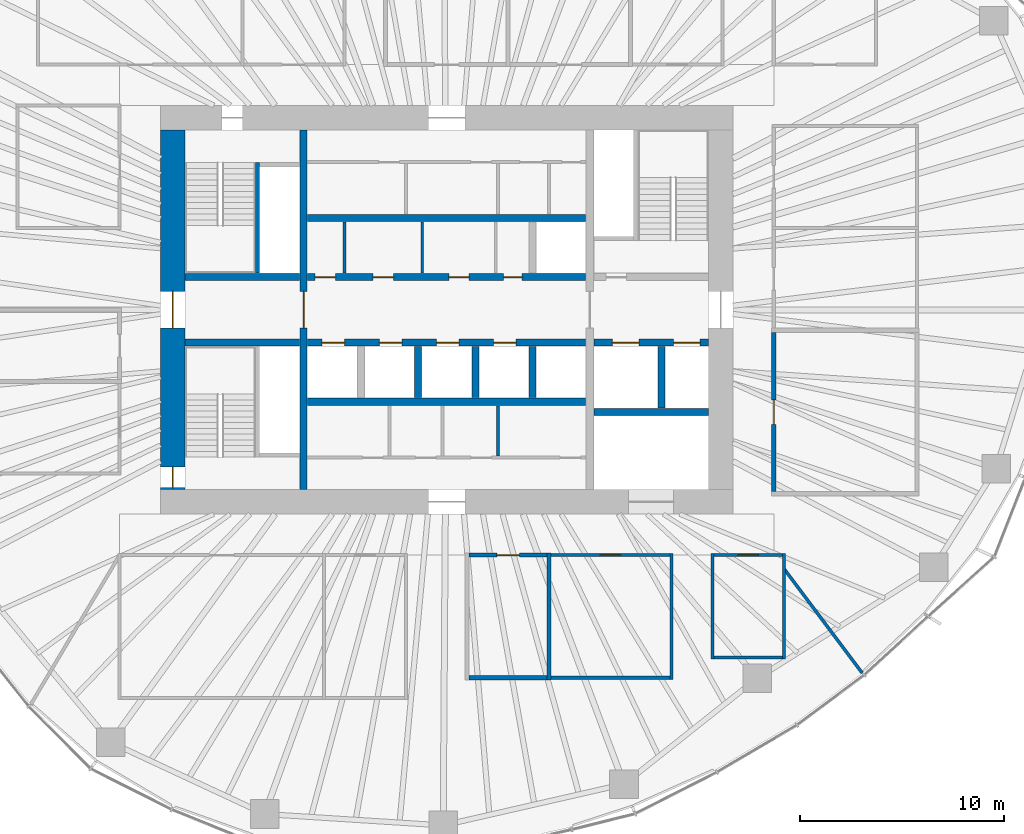
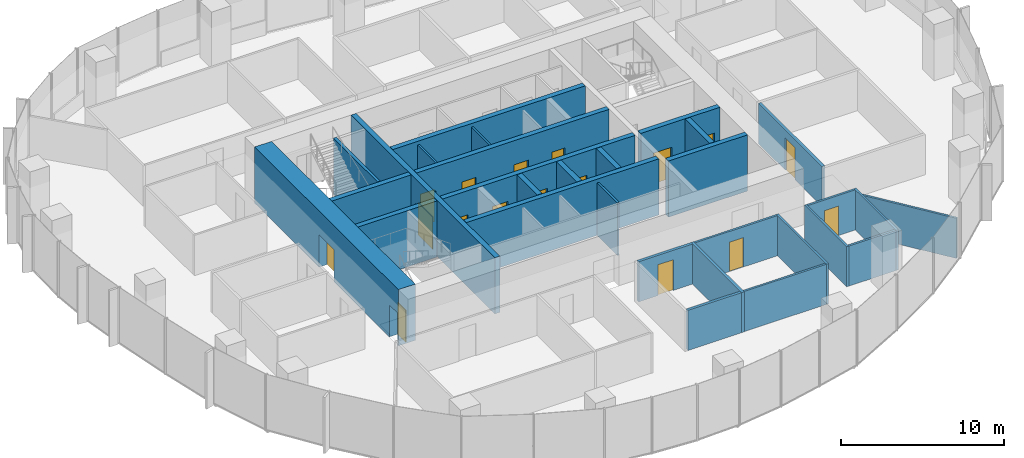
# One storey, part 9 of 18: 30 walls, 17 doors, 17 openings.
"""IFC4 building model written with IfcOpenShell, lengths in metres."""

from ifc_helpers import new_model, si_unit, direction, frame, frame_2d, origin, place, context, subcontext, project, spatial, rectangle, extrude, material, layer, layer_set, type_object, element, fill, save


model = new_model("IFC4")

# Units and contexts
model_context = context("Model", 3, precision=1e-05, world=origin(), true_north=direction((0.0, 1.0)))
body_context = subcontext(model_context, "Body", "Model", "MODEL_VIEW")
ifc_project = project(units=[si_unit("LENGTHUNIT", "METRE"), si_unit("AREAUNIT", "SQUARE_METRE"), si_unit("VOLUMEUNIT", "CUBIC_METRE"), si_unit("PLANEANGLEUNIT", "RADIAN"), si_unit("MASSUNIT", "GRAM", prefix="KILO")], contexts=[model_context])

# Site, building, storey
site_placement = place(None, origin())
site = spatial("IfcSite", under=ifc_project, at=site_placement, CompositionType="ELEMENT")
building_placement = place(site_placement, origin())
building = spatial("IfcBuilding", under=site, at=building_placement, Name="Ghaith Harvest Tower", CompositionType="ELEMENT")
storey_placement = place(building_placement, frame((0.0, 0.0, 163.800048828125)))
storey = spatial("IfcBuildingStorey", under=building, at=storey_placement, Name="L35", CompositionType="ELEMENT", Elevation=163.800048828125)

# Wall
ifc_material_1 = material(Name="Twin-stud gypsum board, acoustic", Category="gypsum")
ifc_layer_1 = layer(ifc_material_1, 0.199951171875)
ifc_layer_set_1 = layer_set([ifc_layer_1], Name="ACOUSTIC PARTITION 200")
wall_type_1 = type_object("IfcWallType", Name="ACOUSTIC PARTITION 200", PredefinedType="PARTITIONING", material=ifc_layer_set_1)
wall_1_placement = place(storey_placement, frame((5.0, -11.89990234375, 0.0), z_axis=(0.0, 0.0, 1.0), x_axis=(0.0, -1.0, 0.0)))
element("IfcWall", 1, at=wall_1_placement, inside=storey, type_object=wall_type_1, Name="Partition L35 row S2 cross wall 2", PredefinedType="PARTITIONING", context=body_context, shape_type="SweptSolid", body=[
    extrude(rectangle(XDim=6.2001953125, YDim=0.199951171875, at=frame_2d((3.10009765625, 0.0))), origin(), (0.0, 0.0, 1.0), 3.0),
])

# Wall, opening, door
wall_2_placement = place(storey_placement, frame((1.10009765625, -12.0, 0.0), z_axis=(0.0, 0.0, 1.0), x_axis=(1.0, 0.0, 0.0)))
wall_2 = element("IfcWall", 2, at=wall_2_placement, inside=storey, type_object=wall_type_1, Name="Partition L35-03", PredefinedType="PARTITIONING", context=body_context, shape_type="SweptSolid", body=[
    extrude(rectangle(XDim=3.7998046875, YDim=0.199951171875, at=frame_2d((1.89990234375, 0.0))), origin(), (0.0, 0.0, 1.0), 3.0),
])
opening_1_placement = place(wall_2_placement, frame((1.35009765625, 0.0, 0.0)))
opening_1 = element("IfcOpeningElement", 3, at=opening_1_placement, cuts=wall_2, Name="Opening 35-031", PredefinedType="OPENING", context=body_context, shape_type="SweptSolid", body=[
    extrude(rectangle(XDim=1.10009765625, YDim=2.300048828125, at=frame_2d((0.550048828125, 1.14990234375))), frame((0.0, 0.10986328125, 0.0), z_axis=(0.0, -1.0, 0.0), x_axis=(1.0, 0.0, 0.0)), (0.0, 0.0, 1.0), 0.219970703125),
])
ifc_material_2 = material(Name="Timber-framed glazed door", Category="wood")
door_type_1 = type_object("IfcDoorType", Name="D12 GLAZED OFFICE 1100x2300", OperationType="SINGLE_SWING_LEFT", PredefinedType="DOOR", material=ifc_material_2)
door_1_placement = place(opening_1_placement, origin())
door_1 = element("IfcDoor", 4, at=door_1_placement, inside=storey, type_object=door_type_1, Name="Focus room door", OperationType="SINGLE_SWING_LEFT", OverallHeight=2.300048828125, OverallWidth=1.10009765625, PredefinedType="DOOR", context=body_context, shape_type="SweptSolid", body=[
    extrude(rectangle(XDim=1.10009765625, YDim=2.300048828125, at=frame_2d((0.550048828125, 1.14990234375))), frame((0.0, 0.02490234375, 0.0), z_axis=(0.0, -1.0, 0.0), x_axis=(1.0, 0.0, 0.0)), (0.0, 0.0, 1.0), 0.050048828125),
])
fill(opening_1, door_1)

# Wall
wall_3_placement = place(storey_placement, frame((1.10009765625, -18.0, 0.0), z_axis=(0.0, 0.0, 1.0), x_axis=(1.0, 0.0, 0.0)))
element("IfcWall", 5, at=wall_3_placement, inside=storey, type_object=wall_type_1, Name="Partition L35-03", PredefinedType="PARTITIONING", context=body_context, shape_type="SweptSolid", body=[
    extrude(rectangle(XDim=3.7998046875, YDim=0.199951171875, at=frame_2d((1.89990234375, 0.0))), origin(), (0.0, 0.0, 1.0), 3.0),
])

# Wall, opening, door
wall_4_placement = place(storey_placement, frame((16.0, -8.89990234375, 0.0), z_axis=(0.0, 0.0, 1.0), x_axis=(0.0, 1.0, 0.0)))
wall_4 = element("IfcWall", 6, at=wall_4_placement, inside=storey, type_object=wall_type_1, Name="Partition L35-10", PredefinedType="PARTITIONING", context=body_context, shape_type="SweptSolid", body=[
    extrude(rectangle(XDim=7.7998046875, YDim=0.199951171875, at=frame_2d((3.89990234375, 0.0))), origin(), (0.0, 0.0, 1.0), 3.0),
])
opening_2_placement = place(wall_4_placement, frame((3.300048828125, 0.0, 0.0)))
opening_2 = element("IfcOpeningElement", 7, at=opening_2_placement, cuts=wall_4, Name="Opening 35-038", PredefinedType="OPENING", context=body_context, shape_type="SweptSolid", body=[
    extrude(rectangle(XDim=1.199951171875, YDim=2.39990234375, at=frame_2d((0.60009765625, 1.199951171875))), frame((0.0, 0.10986328125, 0.0), z_axis=(0.0, -1.0, 0.0), x_axis=(1.0, 0.0, 0.0)), (0.0, 0.0, 1.0), 0.219970703125),
])
ifc_material_3 = material(Name="Timber door", Category="wood")
door_type_2 = type_object("IfcDoorType", Name="D11 GLAZED 1200x2400", OperationType="SINGLE_SWING_LEFT", PredefinedType="DOOR", material=ifc_material_3)
door_2_placement = place(opening_2_placement, origin())
door_2 = element("IfcDoor", 8, at=door_2_placement, inside=storey, type_object=door_type_2, Name="Focus group room door", OperationType="SINGLE_SWING_LEFT", OverallHeight=2.39990234375, OverallWidth=1.199951171875, PredefinedType="DOOR", context=body_context, shape_type="SweptSolid", body=[
    extrude(rectangle(XDim=1.199951171875, YDim=2.39990234375, at=frame_2d((0.60009765625, 1.199951171875))), frame((0.0, 0.02490234375, 0.0), z_axis=(0.0, -1.0, 0.0), x_axis=(1.0, 0.0, 0.0)), (0.0, 0.0, 1.0), 0.050048828125),
])
fill(opening_2, door_2)

# Walls
ifc_material_4 = material(Name="Concrete blockwork, fair-faced", Category="masonry")
ifc_layer_2 = layer(ifc_material_4, 0.139892578125)
ifc_layer_set_2 = layer_set([ifc_layer_2], Name="CORE PARTITION 140")
wall_type_2 = type_object("IfcWallType", Name="CORE PARTITION 140", PredefinedType="PARTITIONING", material=ifc_layer_set_2)
wall_5_placement = place(storey_placement, frame((2.5, -4.699951171875, 0.0), z_axis=(0.0, 0.0, 1.0), x_axis=(0.0, -1.0, 0.0)))
element("IfcWall", 9, at=wall_5_placement, inside=storey, type_object=wall_type_2, Name="Core partition L35", PredefinedType="PARTITIONING", context=body_context, shape_type="SweptSolid", body=[
    extrude(rectangle(XDim=2.4599609375, YDim=0.139892578125, at=frame_2d((1.22998046875, 0.0))), origin(), (0.0, 0.0, 1.0), 3.949951171875),
])
for number, where, z_axis, x_axis, name in (
    (10, (-5.0, 1.800048828125, 0.0), (0.0, 0.0, 1.0), (0.0, 1.0, 0.0), "Core partition L35"),
    (11, (-1.199951171875, 1.800048828125, 0.0), (0.0, 0.0, 1.0), (0.0, 1.0, 0.0), "Core partition L35"),
):
    element("IfcWall", number, at=place(storey_placement, frame(where, z_axis=z_axis, x_axis=x_axis)), inside=storey, type_object=wall_type_2, Name=name, PredefinedType="PARTITIONING", context=body_context, shape_type="SweptSolid", body=[
        extrude(rectangle(XDim=2.5, YDim=0.139892578125, at=frame_2d((1.25, 0.0))), origin(), (0.0, 0.0, 1.0), 3.949951171875),
    ])

# Wall, openings, doors
ifc_material_5 = material(Name="Concrete C60/75", Category="concrete")
ifc_layer_3 = layer(ifc_material_5, 1.199951171875)
ifc_layer_set_3 = layer_set([ifc_layer_3], Name="CORE WALL CW1200 C60")
wall_type_3 = type_object("IfcWallType", Name="CORE WALL CW1200 C60", PredefinedType="SHEAR", material=ifc_layer_set_3)
wall_6_placement = place(storey_placement, frame((-13.39990234375, 8.800048828125, 0.0), z_axis=(0.0, 0.0, 1.0), x_axis=(0.0, -1.0, 0.0)))
wall_6 = element("IfcWall", 12, at=wall_6_placement, inside=storey, type_object=wall_type_3, Name="Core wall W L35", PredefinedType="SHEAR", context=body_context, shape_type="SweptSolid", body=[
    extrude(rectangle(XDim=17.60009765625, YDim=1.199951171875, at=frame_2d((8.800048828125, 0.0))), origin(), (0.0, 0.0, 1.0), 4.199951171875),
])
opening_3_placement = place(wall_6_placement, frame((7.89990234375, 0.0, 0.0)))
opening_3 = element("IfcOpeningElement", 13, at=opening_3_placement, cuts=wall_6, Name="Opening 35-001", PredefinedType="OPENING", context=body_context, shape_type="SweptSolid", body=[
    extrude(rectangle(XDim=1.800048828125, YDim=2.39990234375, at=frame_2d((0.89990234375, 1.199951171875))), frame((0.0, 0.60986328125, 0.0), z_axis=(0.0, -1.0, 0.0), x_axis=(1.0, 0.0, 0.0)), (0.0, 0.0, 1.0), 1.219970703125),
])
opening_4_placement = place(wall_6_placement, frame((16.5, 0.0, 0.0)))
opening_4 = element("IfcOpeningElement", 14, at=opening_4_placement, cuts=wall_6, Name="Opening 35-006", PredefinedType="OPENING", context=body_context, shape_type="SweptSolid", body=[
    extrude(rectangle(XDim=1.0, YDim=2.39990234375, at=frame_2d((0.5, 1.199951171875))), frame((0.0, 0.60986328125, 0.0), z_axis=(0.0, -1.0, 0.0), x_axis=(1.0, 0.0, 0.0)), (0.0, 0.0, 1.0), 1.219970703125),
])
ifc_material_6 = material(Name="Steel fire door", Category="steel")
door_type_3 = type_object("IfcDoorType", Name="D3 FD90 1000x2400", OperationType="SINGLE_SWING_LEFT", PredefinedType="DOOR", material=ifc_material_6)
door_3_placement = place(opening_4_placement, origin())
door_3 = element("IfcDoor", 15, at=door_3_placement, inside=storey, type_object=door_type_3, Name="Stair ST3 door", OperationType="SINGLE_SWING_RIGHT", OverallHeight=2.39990234375, OverallWidth=1.0, PredefinedType="DOOR", context=body_context, shape_type="SweptSolid", body=[
    extrude(rectangle(XDim=1.0, YDim=2.39990234375, at=frame_2d((0.5, 1.199951171875))), frame((0.0, 0.02490234375, 0.0), z_axis=(0.0, -1.0, 0.0), x_axis=(1.0, 0.0, 0.0)), (0.0, 0.0, 1.0), 0.050048828125),
])
fill(opening_4, door_3)
ifc_material_7 = material(Name="Steel fire door", Category="steel")
door_type_4 = type_object("IfcDoorType", Name="D4 FD90 PAIR 1800x2400", OperationType="DOUBLE_DOOR_SINGLE_SWING", PredefinedType="DOOR", material=ifc_material_7)
door_4_placement = place(opening_3_placement, origin())
door_4 = element("IfcDoor", 16, at=door_4_placement, inside=storey, type_object=door_type_4, Name="West lobby doors", OperationType="DOUBLE_DOOR_SINGLE_SWING", OverallHeight=2.39990234375, OverallWidth=1.800048828125, PredefinedType="DOOR", context=body_context, shape_type="SweptSolid", body=[
    extrude(rectangle(XDim=1.800048828125, YDim=2.39990234375, at=frame_2d((0.89990234375, 1.199951171875))), frame((0.0, 0.02490234375, 0.0), z_axis=(0.0, -1.0, 0.0), x_axis=(1.0, 0.0, 0.0)), (0.0, 0.0, 1.0), 0.050048828125),
])
fill(opening_3, door_4)

# Wall
ifc_material_8 = material(Name="Gypsum board on steel studs", Category="steel")
ifc_layer_4 = layer(ifc_material_8, 0.14990234375)
ifc_layer_set_4 = layer_set([ifc_layer_4], Name="PARTITION 150")
wall_type_4 = type_object("IfcWallType", Name="PARTITION 150", PredefinedType="PARTITIONING", material=ifc_layer_set_4)
wall_7_placement = place(storey_placement, frame((11.0, -11.925048828125, 0.0), z_axis=(0.0, 0.0, 1.0), x_axis=(0.0, -1.0, 0.0)))
element("IfcWall", 17, at=wall_7_placement, inside=storey, type_object=wall_type_4, Name="Partition L35 row S2 cross wall 3", PredefinedType="PARTITIONING", context=body_context, shape_type="SweptSolid", body=[
    extrude(rectangle(XDim=6.14990234375, YDim=0.14990234375, at=frame_2d((3.074951171875, 0.0))), origin(), (0.0, 0.0, 1.0), 3.0),
])

# Wall, opening, door
wall_8_placement = place(storey_placement, frame((5.10009765625, -12.0, 0.0), z_axis=(0.0, 0.0, 1.0), x_axis=(1.0, 0.0, 0.0)))
wall_8 = element("IfcWall", 18, at=wall_8_placement, inside=storey, type_object=wall_type_4, Name="Partition L35-04", PredefinedType="PARTITIONING", context=body_context, shape_type="SweptSolid", body=[
    extrude(rectangle(XDim=5.824951171875, YDim=0.14990234375, at=frame_2d((2.91259765625, 0.0))), origin(), (0.0, 0.0, 1.0), 3.0),
])
opening_5_placement = place(wall_8_placement, frame((2.41259765625, 0.0, 0.0)))
opening_5 = element("IfcOpeningElement", 19, at=opening_5_placement, cuts=wall_8, Name="Opening 35-032", PredefinedType="OPENING", context=body_context, shape_type="SweptSolid", body=[
    extrude(rectangle(XDim=1.0, YDim=2.199951171875, at=frame_2d((0.5, 1.10009765625))), frame((0.0, 0.0849609375, 0.0), z_axis=(0.0, -1.0, 0.0), x_axis=(1.0, 0.0, 0.0)), (0.0, 0.0, 1.0), 0.169921875),
])
ifc_material_9 = material(Name="Timber door", Category="wood")
door_type_5 = type_object("IfcDoorType", Name="D1 SINGLE 1000x2200", OperationType="SINGLE_SWING_LEFT", PredefinedType="DOOR", material=ifc_material_9)
door_5_placement = place(opening_5_placement, origin())
door_5 = element("IfcDoor", 20, at=door_5_placement, inside=storey, type_object=door_type_5, Name="Print room door", OperationType="SINGLE_SWING_LEFT", OverallHeight=2.199951171875, OverallWidth=1.0, PredefinedType="DOOR", context=body_context, shape_type="SweptSolid", body=[
    extrude(rectangle(XDim=1.0, YDim=2.199951171875, at=frame_2d((0.5, 1.10009765625))), frame((0.0, 0.02490234375, 0.0), z_axis=(0.0, -1.0, 0.0), x_axis=(1.0, 0.0, 0.0)), (0.0, 0.0, 1.0), 0.050048828125),
])
fill(opening_5, door_5)

# Walls
wall_9_placement = place(storey_placement, frame((5.10009765625, -18.0, 0.0), z_axis=(0.0, 0.0, 1.0), x_axis=(1.0, 0.0, 0.0)))
element("IfcWall", 21, at=wall_9_placement, inside=storey, type_object=wall_type_4, Name="Partition L35-04", PredefinedType="PARTITIONING", context=body_context, shape_type="SweptSolid", body=[
    extrude(rectangle(XDim=5.824951171875, YDim=0.14990234375, at=frame_2d((2.91259765625, 0.0))), origin(), (0.0, 0.0, 1.0), 3.0),
])
for number, where, z_axis, x_axis, name in (
    (22, (13.0, -11.925048828125, 0.0), (0.0, 0.0, 1.0), (0.0, -1.0, 0.0), "Partition L35 row S8 cross wall 1"),
    (23, (16.5, -11.925048828125, 0.0), (0.0, 0.0, 1.0), (0.0, -1.0, 0.0), "Partition L35 row S8 cross wall 2"),
):
    element("IfcWall", number, at=place(storey_placement, frame(where, z_axis=z_axis, x_axis=x_axis)), inside=storey, type_object=wall_type_4, Name=name, PredefinedType="PARTITIONING", context=body_context, shape_type="SweptSolid", body=[
        extrude(rectangle(XDim=5.14990234375, YDim=0.14990234375, at=frame_2d((2.574951171875, 0.0))), origin(), (0.0, 0.0, 1.0), 3.0),
    ])

# Wall, opening, door
wall_10_placement = place(storey_placement, frame((13.074951171875, -12.0, 0.0), z_axis=(0.0, 0.0, 1.0), x_axis=(1.0, 0.0, 0.0)))
wall_10 = element("IfcWall", 24, at=wall_10_placement, inside=storey, type_object=wall_type_4, Name="Partition L35-16", PredefinedType="PARTITIONING", context=body_context, shape_type="SweptSolid", body=[
    extrude(rectangle(XDim=3.35009765625, YDim=0.14990234375, at=frame_2d((1.675048828125, 0.0))), origin(), (0.0, 0.0, 1.0), 3.0),
])
opening_6_placement = place(wall_10_placement, frame((1.175048828125, 0.0, 0.0)))
opening_6 = element("IfcOpeningElement", 25, at=opening_6_placement, cuts=wall_10, Name="Opening 35-044", PredefinedType="OPENING", context=body_context, shape_type="SweptSolid", body=[
    extrude(rectangle(XDim=1.0, YDim=2.199951171875, at=frame_2d((0.5, 1.10009765625))), frame((0.0, 0.0849609375, 0.0), z_axis=(0.0, -1.0, 0.0), x_axis=(1.0, 0.0, 0.0)), (0.0, 0.0, 1.0), 0.169921875),
])
door_6_placement = place(opening_6_placement, origin())
door_6 = element("IfcDoor", 26, at=door_6_placement, inside=storey, type_object=door_type_5, Name="Store door", OperationType="SINGLE_SWING_LEFT", OverallHeight=2.199951171875, OverallWidth=1.0, PredefinedType="DOOR", context=body_context, shape_type="SweptSolid", body=[
    extrude(rectangle(XDim=1.0, YDim=2.199951171875, at=frame_2d((0.5, 1.10009765625))), frame((0.0, 0.02490234375, 0.0), z_axis=(0.0, -1.0, 0.0), x_axis=(1.0, 0.0, 0.0)), (0.0, 0.0, 1.0), 0.050048828125),
])
fill(opening_6, door_6)

# Walls
wall_11_placement = place(storey_placement, frame((13.074951171875, -17.0, 0.0), z_axis=(0.0, 0.0, 1.0), x_axis=(1.0, 0.0, 0.0)))
element("IfcWall", 27, at=wall_11_placement, inside=storey, type_object=wall_type_4, Name="Partition L35-16", PredefinedType="PARTITIONING", context=body_context, shape_type="SweptSolid", body=[
    extrude(rectangle(XDim=3.35009765625, YDim=0.14990234375, at=frame_2d((1.675048828125, 0.0))), origin(), (0.0, 0.0, 1.0), 3.0),
])
wall_12_placement = place(storey_placement, frame((16.52001953125, -12.693115234375, 0.0), z_axis=(0.0, 0.0, 1.0), x_axis=(0.600036938918, -0.799972294479, 0.0)))
element("IfcWall", 28, at=wall_12_placement, inside=storey, type_object=wall_type_4, Name="Partition L35 zone division", PredefinedType="PARTITIONING", context=body_context, shape_type="SweptSolid", body=[
    extrude(rectangle(XDim=6.3447265625, YDim=0.14990234375, at=frame_2d((3.17236328125, 0.0))), origin(), (0.0, 0.0, 1.0), 3.0),
])

# Wall, opening, door
ifc_material_10 = material(Name="Concrete C60/75", Category="concrete")
ifc_layer_5 = layer(ifc_material_10, 0.35009765625)
ifc_layer_set_5 = layer_set([ifc_layer_5], Name="SHAFT WALL 350")
wall_type_5 = type_object("IfcWallType", Name="SHAFT WALL 350", PredefinedType="SHEAR", material=ifc_layer_set_5)
wall_13_placement = place(storey_placement, frame((-7.0, -8.800048828125, 0.0), z_axis=(0.0, 0.0, 1.0), x_axis=(0.0, 1.0, 0.0)))
wall_13 = element("IfcWall", 29, at=wall_13_placement, inside=storey, type_object=wall_type_5, Name="Shaft wall W7W L35", PredefinedType="SHEAR", context=body_context, shape_type="SweptSolid", body=[
    extrude(rectangle(XDim=17.60009765625, YDim=0.35009765625, at=frame_2d((8.800048828125, 0.0))), origin(), (0.0, 0.0, 1.0), 4.199951171875),
])
opening_7_placement = place(wall_13_placement, frame((7.89990234375, 0.0, 0.0)))
opening_7 = element("IfcOpeningElement", 30, at=opening_7_placement, cuts=wall_13, Name="Opening 35-003", PredefinedType="OPENING", context=body_context, shape_type="SweptSolid", body=[
    extrude(rectangle(XDim=1.800048828125, YDim=2.39990234375, at=frame_2d((0.89990234375, 1.199951171875))), frame((0.0, 0.18505859375, 0.0), z_axis=(0.0, -1.0, 0.0), x_axis=(1.0, 0.0, 0.0)), (0.0, 0.0, 1.0), 0.3701171875),
])
door_7_placement = place(opening_7_placement, origin())
door_7 = element("IfcDoor", 31, at=door_7_placement, inside=storey, type_object=door_type_4, Name="Lift lobby doors, west", OperationType="DOUBLE_DOOR_SINGLE_SWING", OverallHeight=2.39990234375, OverallWidth=1.800048828125, PredefinedType="DOOR", context=body_context, shape_type="SweptSolid", body=[
    extrude(rectangle(XDim=1.800048828125, YDim=2.39990234375, at=frame_2d((0.89990234375, 1.199951171875))), frame((0.0, 0.02490234375, 0.0), z_axis=(0.0, -1.0, 0.0), x_axis=(1.0, 0.0, 0.0)), (0.0, 0.0, 1.0), 0.050048828125),
])
fill(opening_7, door_7)

# Wall, openings, doors
wall_14_placement = place(storey_placement, frame((-6.800048828125, 1.60009765625, 0.0), z_axis=(0.0, 0.0, 1.0), x_axis=(1.0, 0.0, 0.0)))
wall_14 = element("IfcWall", 32, at=wall_14_placement, inside=storey, type_object=wall_type_5, Name="Shaft wall LN L35", PredefinedType="SHEAR", context=body_context, shape_type="SweptSolid", body=[
    extrude(rectangle(XDim=13.60009765625, YDim=0.35009765625, at=frame_2d((6.800048828125, 0.0))), origin(), (0.0, 0.0, 1.0), 4.199951171875),
])
opening_8_placement = place(wall_14_placement, frame((0.364990234375, 0.0, 0.0)))
opening_8 = element("IfcOpeningElement", 33, at=opening_8_placement, cuts=wall_14, Name="Opening 35-016", PredefinedType="OPENING", context=body_context, shape_type="SweptSolid", body=[
    extrude(rectangle(XDim=1.0, YDim=2.39990234375, at=frame_2d((0.5, 1.199951171875))), frame((0.0, 0.18505859375, 0.0), z_axis=(0.0, -1.0, 0.0), x_axis=(1.0, 0.0, 0.0)), (0.0, 0.0, 1.0), 0.3701171875),
])
opening_9_placement = place(wall_14_placement, frame((3.199951171875, 0.0, 0.0)))
opening_9 = element("IfcOpeningElement", 34, at=opening_9_placement, cuts=wall_14, Name="Opening 35-017", PredefinedType="OPENING", context=body_context, shape_type="SweptSolid", body=[
    extrude(rectangle(XDim=1.0, YDim=2.39990234375, at=frame_2d((0.5, 1.199951171875))), frame((0.0, 0.18505859375, 0.0), z_axis=(0.0, -1.0, 0.0), x_axis=(1.0, 0.0, 0.0)), (0.0, 0.0, 1.0), 0.3701171875),
])
opening_10_placement = place(wall_14_placement, frame((6.89990234375, 0.0, 0.0)))
opening_10 = element("IfcOpeningElement", 35, at=opening_10_placement, cuts=wall_14, Name="Opening 35-018", PredefinedType="OPENING", context=body_context, shape_type="SweptSolid", body=[
    extrude(rectangle(XDim=1.0, YDim=2.39990234375, at=frame_2d((0.5, 1.199951171875))), frame((0.0, 0.18505859375, 0.0), z_axis=(0.0, -1.0, 0.0), x_axis=(1.0, 0.0, 0.0)), (0.0, 0.0, 1.0), 0.3701171875),
])
opening_11_placement = place(wall_14_placement, frame((9.5849609375, 0.0, 0.0)))
opening_11 = element("IfcOpeningElement", 36, at=opening_11_placement, cuts=wall_14, Name="Opening 35-019", PredefinedType="OPENING", context=body_context, shape_type="SweptSolid", body=[
    extrude(rectangle(XDim=0.89990234375, YDim=2.39990234375, at=frame_2d((0.449951171875, 1.199951171875))), frame((0.0, 0.18505859375, 0.0), z_axis=(0.0, -1.0, 0.0), x_axis=(1.0, 0.0, 0.0)), (0.0, 0.0, 1.0), 0.3701171875),
])
door_8_placement = place(opening_8_placement, origin())
door_8 = element("IfcDoor", 37, at=door_8_placement, inside=storey, type_object=door_type_3, Name="First aid room door", OperationType="SINGLE_SWING_LEFT", OverallHeight=2.39990234375, OverallWidth=1.0, PredefinedType="DOOR", context=body_context, shape_type="SweptSolid", body=[
    extrude(rectangle(XDim=1.0, YDim=2.39990234375, at=frame_2d((0.5, 1.199951171875))), frame((0.0, 0.02490234375, 0.0), z_axis=(0.0, -1.0, 0.0), x_axis=(1.0, 0.0, 0.0)), (0.0, 0.0, 1.0), 0.050048828125),
])
fill(opening_8, door_8)
door_9_placement = place(opening_9_placement, origin())
door_9 = element("IfcDoor", 38, at=door_9_placement, inside=storey, type_object=door_type_3, Name="Tea point door", OperationType="SINGLE_SWING_LEFT", OverallHeight=2.39990234375, OverallWidth=1.0, PredefinedType="DOOR", context=body_context, shape_type="SweptSolid", body=[
    extrude(rectangle(XDim=1.0, YDim=2.39990234375, at=frame_2d((0.5, 1.199951171875))), frame((0.0, 0.02490234375, 0.0), z_axis=(0.0, -1.0, 0.0), x_axis=(1.0, 0.0, 0.0)), (0.0, 0.0, 1.0), 0.050048828125),
])
fill(opening_9, door_9)
door_10_placement = place(opening_10_placement, origin())
door_10 = element("IfcDoor", 39, at=door_10_placement, inside=storey, type_object=door_type_3, Name="Tea point door", OperationType="SINGLE_SWING_RIGHT", OverallHeight=2.39990234375, OverallWidth=1.0, PredefinedType="DOOR", context=body_context, shape_type="SweptSolid", body=[
    extrude(rectangle(XDim=1.0, YDim=2.39990234375, at=frame_2d((0.5, 1.199951171875))), frame((0.0, 0.02490234375, 0.0), z_axis=(0.0, -1.0, 0.0), x_axis=(1.0, 0.0, 0.0)), (0.0, 0.0, 1.0), 0.050048828125),
])
fill(opening_10, door_10)
ifc_material_11 = material(Name="Steel fire door", Category="steel")
door_type_6 = type_object("IfcDoorType", Name="D5 FD90 900x2400", OperationType="SINGLE_SWING_LEFT", PredefinedType="DOOR", material=ifc_material_11)
door_11_placement = place(opening_11_placement, origin())
door_11 = element("IfcDoor", 40, at=door_11_placement, inside=storey, type_object=door_type_6, Name="Lobby store door", OperationType="SINGLE_SWING_RIGHT", OverallHeight=2.39990234375, OverallWidth=0.89990234375, PredefinedType="DOOR", context=body_context, shape_type="SweptSolid", body=[
    extrude(rectangle(XDim=0.89990234375, YDim=2.39990234375, at=frame_2d((0.449951171875, 1.199951171875))), frame((0.0, 0.02490234375, 0.0), z_axis=(0.0, -1.0, 0.0), x_axis=(1.0, 0.0, 0.0)), (0.0, 0.0, 1.0), 0.050048828125),
])
fill(opening_11, door_11)

wall_15_placement = place(storey_placement, frame((-6.800048828125, -1.60009765625, 0.0), z_axis=(0.0, 0.0, 1.0), x_axis=(1.0, 0.0, 0.0)))
wall_15 = element("IfcWall", 41, at=wall_15_placement, inside=storey, type_object=wall_type_5, Name="Shaft wall LS L35", PredefinedType="SHEAR", context=body_context, shape_type="SweptSolid", body=[
    extrude(rectangle(XDim=13.60009765625, YDim=0.35009765625, at=frame_2d((6.800048828125, 0.0))), origin(), (0.0, 0.0, 1.0), 4.199951171875),
])
opening_12_placement = place(wall_15_placement, frame((0.699951171875, 0.0, 0.0)))
opening_12 = element("IfcOpeningElement", 42, at=opening_12_placement, cuts=wall_15, Name="Opening 35-022", PredefinedType="OPENING", context=body_context, shape_type="SweptSolid", body=[
    extrude(rectangle(XDim=1.10009765625, YDim=2.39990234375, at=frame_2d((0.550048828125, 1.199951171875))), frame((0.0, 0.18505859375, 0.0), z_axis=(0.0, -1.0, 0.0), x_axis=(1.0, 0.0, 0.0)), (0.0, 0.0, 1.0), 0.3701171875),
])
opening_13_placement = place(wall_15_placement, frame((3.5, 0.0, 0.0)))
opening_13 = element("IfcOpeningElement", 43, at=opening_13_placement, cuts=wall_15, Name="Opening 35-023", PredefinedType="OPENING", context=body_context, shape_type="SweptSolid", body=[
    extrude(rectangle(XDim=1.10009765625, YDim=2.39990234375, at=frame_2d((0.550048828125, 1.199951171875))), frame((0.0, 0.18505859375, 0.0), z_axis=(0.0, -1.0, 0.0), x_axis=(1.0, 0.0, 0.0)), (0.0, 0.0, 1.0), 0.3701171875),
])
opening_14_placement = place(wall_15_placement, frame((6.300048828125, 0.0, 0.0)))
opening_14 = element("IfcOpeningElement", 44, at=opening_14_placement, cuts=wall_15, Name="Opening 35-024", PredefinedType="OPENING", context=body_context, shape_type="SweptSolid", body=[
    extrude(rectangle(XDim=1.10009765625, YDim=2.39990234375, at=frame_2d((0.550048828125, 1.199951171875))), frame((0.0, 0.18505859375, 0.0), z_axis=(0.0, -1.0, 0.0), x_axis=(1.0, 0.0, 0.0)), (0.0, 0.0, 1.0), 0.3701171875),
])
opening_15_placement = place(wall_15_placement, frame((9.10009765625, 0.0, 0.0)))
opening_15 = element("IfcOpeningElement", 45, at=opening_15_placement, cuts=wall_15, Name="Opening 35-025", PredefinedType="OPENING", context=body_context, shape_type="SweptSolid", body=[
    extrude(rectangle(XDim=1.10009765625, YDim=2.39990234375, at=frame_2d((0.550048828125, 1.199951171875))), frame((0.0, 0.18505859375, 0.0), z_axis=(0.0, -1.0, 0.0), x_axis=(1.0, 0.0, 0.0)), (0.0, 0.0, 1.0), 0.3701171875),
])
ifc_material_12 = material(Name="Steel fire door", Category="steel")
door_type_7 = type_object("IfcDoorType", Name="LD1 LANDING 1100x2400", OperationType="DOUBLE_DOOR_SLIDING", PredefinedType="DOOR", material=ifc_material_12)
door_12_placement = place(opening_12_placement, origin())
door_12 = element("IfcDoor", 46, at=door_12_placement, inside=storey, type_object=door_type_7, Name="Landing door, lift LR1", OperationType="DOUBLE_DOOR_SLIDING", OverallHeight=2.39990234375, OverallWidth=1.10009765625, PredefinedType="DOOR", context=body_context, shape_type="SweptSolid", body=[
    extrude(rectangle(XDim=1.10009765625, YDim=2.39990234375, at=frame_2d((0.550048828125, 1.199951171875))), frame((0.0, 0.02490234375, 0.0), z_axis=(0.0, -1.0, 0.0), x_axis=(1.0, 0.0, 0.0)), (0.0, 0.0, 1.0), 0.050048828125),
])
fill(opening_12, door_12)
door_13_placement = place(opening_13_placement, origin())
door_13 = element("IfcDoor", 47, at=door_13_placement, inside=storey, type_object=door_type_7, Name="Landing door, lift LR2", OperationType="DOUBLE_DOOR_SLIDING", OverallHeight=2.39990234375, OverallWidth=1.10009765625, PredefinedType="DOOR", context=body_context, shape_type="SweptSolid", body=[
    extrude(rectangle(XDim=1.10009765625, YDim=2.39990234375, at=frame_2d((0.550048828125, 1.199951171875))), frame((0.0, 0.02490234375, 0.0), z_axis=(0.0, -1.0, 0.0), x_axis=(1.0, 0.0, 0.0)), (0.0, 0.0, 1.0), 0.050048828125),
])
fill(opening_13, door_13)
door_14_placement = place(opening_14_placement, origin())
door_14 = element("IfcDoor", 48, at=door_14_placement, inside=storey, type_object=door_type_7, Name="Landing door, lift LR3", OperationType="DOUBLE_DOOR_SLIDING", OverallHeight=2.39990234375, OverallWidth=1.10009765625, PredefinedType="DOOR", context=body_context, shape_type="SweptSolid", body=[
    extrude(rectangle(XDim=1.10009765625, YDim=2.39990234375, at=frame_2d((0.550048828125, 1.199951171875))), frame((0.0, 0.02490234375, 0.0), z_axis=(0.0, -1.0, 0.0), x_axis=(1.0, 0.0, 0.0)), (0.0, 0.0, 1.0), 0.050048828125),
])
fill(opening_14, door_14)
door_15_placement = place(opening_15_placement, origin())
door_15 = element("IfcDoor", 49, at=door_15_placement, inside=storey, type_object=door_type_7, Name="Landing door, lift LR4", OperationType="DOUBLE_DOOR_SLIDING", OverallHeight=2.39990234375, OverallWidth=1.10009765625, PredefinedType="DOOR", context=body_context, shape_type="SweptSolid", body=[
    extrude(rectangle(XDim=1.10009765625, YDim=2.39990234375, at=frame_2d((0.550048828125, 1.199951171875))), frame((0.0, 0.02490234375, 0.0), z_axis=(0.0, -1.0, 0.0), x_axis=(1.0, 0.0, 0.0)), (0.0, 0.0, 1.0), 0.050048828125),
])
fill(opening_15, door_15)

# Walls
for number, where, z_axis, x_axis, name in (
    (50, (-6.800048828125, 4.5, 0.0), (0.0, 0.0, 1.0), (1.0, 0.0, 0.0), "Shaft wall BN L35"),
    (51, (-6.800048828125, -4.5, 0.0), (0.0, 0.0, 1.0), (1.0, 0.0, 0.0), "Shaft wall BS L35"),
):
    element("IfcWall", number, at=place(storey_placement, frame(where, z_axis=z_axis, x_axis=x_axis)), inside=storey, type_object=wall_type_5, Name=name, PredefinedType="SHEAR", context=body_context, shape_type="SweptSolid", body=[
        extrude(rectangle(XDim=13.60009765625, YDim=0.35009765625, at=frame_2d((6.800048828125, 0.0))), origin(), (0.0, 0.0, 1.0), 4.199951171875),
    ])
for number, where, z_axis, x_axis, name in (
    (52, (-12.800048828125, 1.60009765625, 0.0), (0.0, 0.0, 1.0), (1.0, 0.0, 0.0), "Shaft wall WN L35"),
    (53, (-12.800048828125, -1.60009765625, 0.0), (0.0, 0.0, 1.0), (1.0, 0.0, 0.0), "Shaft wall WS L35"),
):
    element("IfcWall", number, at=place(storey_placement, frame(where, z_axis=z_axis, x_axis=x_axis)), inside=storey, type_object=wall_type_5, Name=name, PredefinedType="SHEAR", context=body_context, shape_type="SweptSolid", body=[
        extrude(rectangle(XDim=5.60009765625, YDim=0.35009765625, at=frame_2d((2.800048828125, 0.0))), origin(), (0.0, 0.0, 1.0), 4.199951171875),
    ])

# Wall, openings, doors
wall_16_placement = place(storey_placement, frame((7.199951171875, -1.60009765625, 0.0), z_axis=(0.0, 0.0, 1.0), x_axis=(1.0, 0.0, 0.0)))
wall_16 = element("IfcWall", 54, at=wall_16_placement, inside=storey, type_object=wall_type_5, Name="Shaft wall ES L35", PredefinedType="SHEAR", context=body_context, shape_type="SweptSolid", body=[
    extrude(rectangle(XDim=5.60009765625, YDim=0.35009765625, at=frame_2d((2.800048828125, 0.0))), origin(), (0.0, 0.0, 1.0), 4.199951171875),
])
opening_16_placement = place(wall_16_placement, frame((0.89990234375, 0.0, 0.0)))
opening_16 = element("IfcOpeningElement", 55, at=opening_16_placement, cuts=wall_16, Name="Opening 35-026", PredefinedType="OPENING", context=body_context, shape_type="SweptSolid", body=[
    extrude(rectangle(XDim=1.300048828125, YDim=2.39990234375, at=frame_2d((0.64990234375, 1.199951171875))), frame((0.0, 0.18505859375, 0.0), z_axis=(0.0, -1.0, 0.0), x_axis=(1.0, 0.0, 0.0)), (0.0, 0.0, 1.0), 0.3701171875),
])
opening_17_placement = place(wall_16_placement, frame((3.89990234375, 0.0, 0.0)))
opening_17 = element("IfcOpeningElement", 56, at=opening_17_placement, cuts=wall_16, Name="Opening 35-027", PredefinedType="OPENING", context=body_context, shape_type="SweptSolid", body=[
    extrude(rectangle(XDim=1.300048828125, YDim=2.39990234375, at=frame_2d((0.64990234375, 1.199951171875))), frame((0.0, 0.18505859375, 0.0), z_axis=(0.0, -1.0, 0.0), x_axis=(1.0, 0.0, 0.0)), (0.0, 0.0, 1.0), 0.3701171875),
])
ifc_material_13 = material(Name="Steel fire door", Category="steel")
door_type_8 = type_object("IfcDoorType", Name="LD2 LANDING 1300x2400", OperationType="DOUBLE_DOOR_SLIDING", PredefinedType="DOOR", material=ifc_material_13)
door_16_placement = place(opening_16_placement, origin())
door_16 = element("IfcDoor", 57, at=door_16_placement, inside=storey, type_object=door_type_8, Name="Landing door, fire service lift FL1", OperationType="DOUBLE_DOOR_SLIDING", OverallHeight=2.39990234375, OverallWidth=1.300048828125, PredefinedType="DOOR", context=body_context, shape_type="SweptSolid", body=[
    extrude(rectangle(XDim=1.300048828125, YDim=2.39990234375, at=frame_2d((0.64990234375, 1.199951171875))), frame((0.0, 0.02490234375, 0.0), z_axis=(0.0, -1.0, 0.0), x_axis=(1.0, 0.0, 0.0)), (0.0, 0.0, 1.0), 0.050048828125),
])
fill(opening_16, door_16)
door_17_placement = place(opening_17_placement, origin())
door_17 = element("IfcDoor", 58, at=door_17_placement, inside=storey, type_object=door_type_8, Name="Landing door, fire service lift FL2", OperationType="DOUBLE_DOOR_SLIDING", OverallHeight=2.39990234375, OverallWidth=1.300048828125, PredefinedType="DOOR", context=body_context, shape_type="SweptSolid", body=[
    extrude(rectangle(XDim=1.300048828125, YDim=2.39990234375, at=frame_2d((0.64990234375, 1.199951171875))), frame((0.0, 0.02490234375, 0.0), z_axis=(0.0, -1.0, 0.0), x_axis=(1.0, 0.0, 0.0)), (0.0, 0.0, 1.0), 0.050048828125),
])
fill(opening_17, door_17)

# Walls
wall_17_placement = place(storey_placement, frame((10.5, -4.800048828125, 0.0), z_axis=(0.0, 0.0, 1.0), x_axis=(0.0, 1.0, 0.0)))
element("IfcWall", 59, at=wall_17_placement, inside=storey, type_object=wall_type_5, Name="Shaft wall FLD L35", PredefinedType="SHEAR", context=body_context, shape_type="SweptSolid", body=[
    extrude(rectangle(XDim=3.0, YDim=0.35009765625, at=frame_2d((1.5, 0.0))), origin(), (0.0, 0.0, 1.0), 4.199951171875),
])
wall_18_placement = place(storey_placement, frame((7.199951171875, -5.0, 0.0), z_axis=(0.0, 0.0, 1.0), x_axis=(1.0, 0.0, 0.0)))
element("IfcWall", 60, at=wall_18_placement, inside=storey, type_object=wall_type_5, Name="Shaft wall FLB L35", PredefinedType="SHEAR", context=body_context, shape_type="SweptSolid", body=[
    extrude(rectangle(XDim=5.60009765625, YDim=0.35009765625, at=frame_2d((2.800048828125, 0.0))), origin(), (0.0, 0.0, 1.0), 4.199951171875),
])
for number, where, z_axis, x_axis, name in (
    (61, (-1.39990234375, -4.300048828125, 0.0), (0.0, 0.0, 1.0), (0.0, 1.0, 0.0), "Shaft wall DS2 L35"),
    (62, (1.39990234375, -4.300048828125, 0.0), (0.0, 0.0, 1.0), (0.0, 1.0, 0.0), "Shaft wall DS3 L35"),
    (63, (4.199951171875, -4.300048828125, 0.0), (0.0, 0.0, 1.0), (0.0, 1.0, 0.0), "Shaft wall DS4 L35"),
):
    element("IfcWall", number, at=place(storey_placement, frame(where, z_axis=z_axis, x_axis=x_axis)), inside=storey, type_object=wall_type_5, Name=name, PredefinedType="SHEAR", context=body_context, shape_type="SweptSolid", body=[
        extrude(rectangle(XDim=2.5, YDim=0.35009765625, at=frame_2d((1.25, 0.0))), origin(), (0.0, 0.0, 1.0), 4.199951171875),
    ])
ifc_material_14 = material(Name="Concrete C40/50", Category="concrete")
ifc_layer_6 = layer(ifc_material_14, 0.199951171875)
ifc_layer_set_6 = layer_set([ifc_layer_6], Name="STAIR SPINE WALL RC200")
wall_type_6 = type_object("IfcWallType", Name="STAIR SPINE WALL RC200", PredefinedType="SOLIDWALL", material=ifc_layer_set_6)
wall_19_placement = place(storey_placement, frame((-9.25, 7.199951171875, 0.0), z_axis=(0.0, 0.0, 1.0), x_axis=(0.0, -1.0, 0.0)))
element("IfcWall", 64, at=wall_19_placement, inside=storey, type_object=wall_type_6, Name="Stair ST1 spine wall L35", PredefinedType="SOLIDWALL", context=body_context, shape_type="SweptSolid", body=[
    extrude(rectangle(XDim=5.39990234375, YDim=0.199951171875, at=frame_2d((2.699951171875, 0.0))), origin(), (0.0, 0.0, 1.0), 4.199951171875),
])

save(model, "model.ifc")
